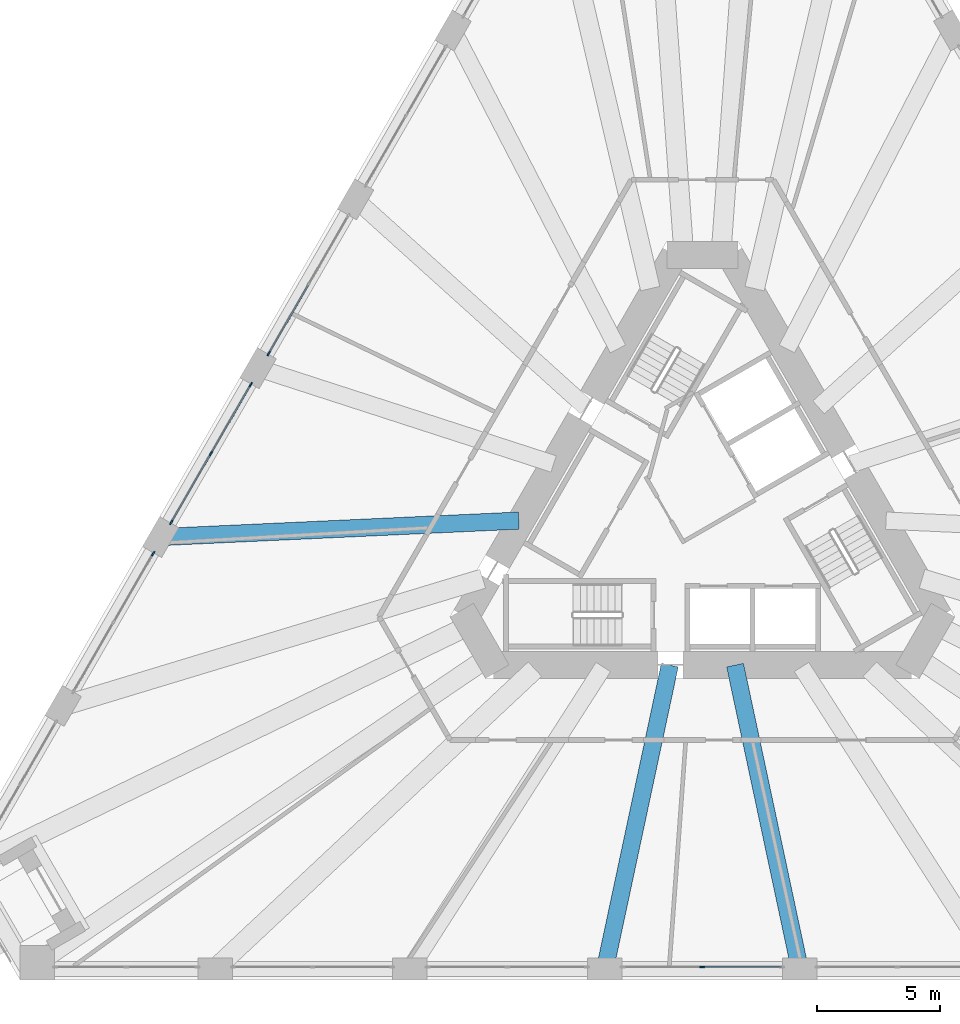
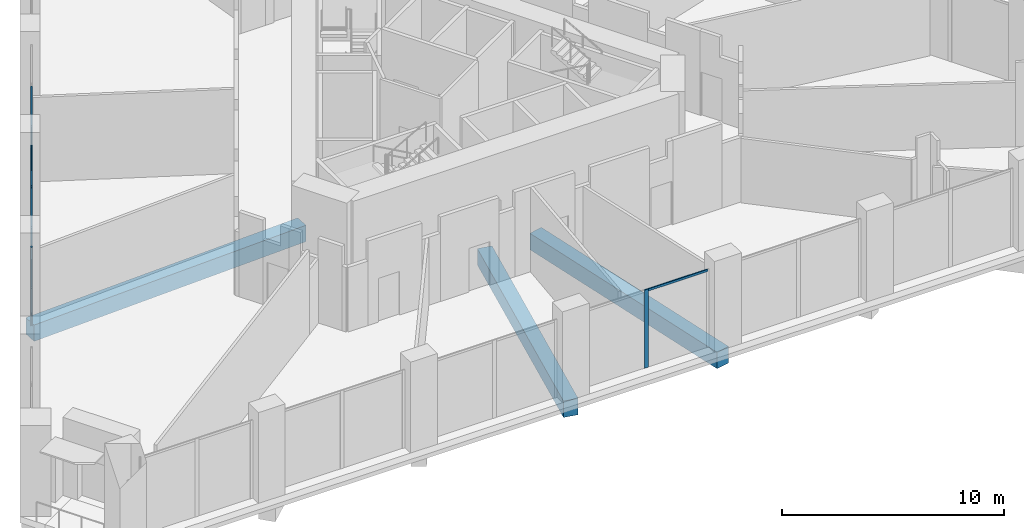
# One storey, part 4 of 20: 10 members, 3 beams, 4 elements without a shape of their own.
"""IFC4 building model written with IfcOpenShell, lengths in metres."""

from ifc_helpers import new_model, si_unit, direction, frame, origin, origin_2d, place, context, subcontext, project, spatial, rectangle, extrude, material, layer, layer_set, material_profile, profile_set, type_object, element, aggregate, save


model = new_model("IFC4")

# Units and contexts
model_context = context("Model", 3, precision=1e-05, world=origin(), true_north=direction((0.0, 1.0)))
body_context = subcontext(model_context, "Body", "Model", "MODEL_VIEW")
ifc_project = project(units=[si_unit("LENGTHUNIT", "METRE"), si_unit("AREAUNIT", "SQUARE_METRE"), si_unit("VOLUMEUNIT", "CUBIC_METRE"), si_unit("PLANEANGLEUNIT", "RADIAN"), si_unit("MASSUNIT", "GRAM", prefix="KILO")], contexts=[model_context])

# Site, building, storey
site_placement = place(None, origin())
site = spatial("IfcSite", under=ifc_project, at=site_placement, CompositionType="ELEMENT")
building_placement = place(site_placement, origin())
building = spatial("IfcBuilding", under=site, at=building_placement, Name="Tramontana Tower", CompositionType="ELEMENT")
storey_placement = place(building_placement, frame((0.0, 0.0, 20.0)))
storey = spatial("IfcBuildingStorey", under=building, at=storey_placement, Name="L03", CompositionType="ELEMENT", Elevation=20.0)

# Curtain wall, member
ifc_material_1 = material(Name="Aluminum extrusion", Category="aluminium")
ifc_layer = layer(ifc_material_1, 0.14990234375)
ifc_layer_set = layer_set([ifc_layer], Name="CW2 Podium amenity curtain wall")
curtain_wall_type = type_object("IfcCurtainWallType", Name="CW2 Podium amenity curtain wall", PredefinedType="NOTDEFINED", material=ifc_layer_set)
curtain_wall_1_placement = place(storey_placement, origin())
curtain_wall_1 = element("IfcCurtainWall", 1, at=curtain_wall_1_placement, inside=storey, type_object=curtain_wall_type, Name="CW2 curtain wall L03 face 0 bay 4", PredefinedType="NOTDEFINED")
ifc_material_2 = material(Name="Aluminum extrusion", Category="aluminium")
ifc_material_profile_1 = material_profile(ifc_material_2, rectangle(XDim=0.06005859375, YDim=0.199951171875, at=origin_2d()), Name="CW2-M Mullion 60 x 200")
ifc_profile_set_1 = profile_set([ifc_material_profile_1], Name="Aluminum extrusion")
member_type_1 = type_object("IfcMemberType", Name="CW2-M Mullion 60 x 200", PredefinedType="MULLION", material=ifc_profile_set_1)
member_1_placement = place(storey_placement, frame((-17.6142578125, 6.441162109375, 0.0), z_axis=(0.0, 0.0, 1.0), x_axis=(0.866025403784, -0.5, 0.0)))
member_1 = element("IfcMember", 2, at=member_1_placement, type_object=member_type_1, Name="CW2 curtain wall L03 face 0 bay 4 mullion 3", PredefinedType="MULLION", context=body_context, shape_type="SweptSolid", body=[
    extrude(rectangle(XDim=0.06005859375, YDim=0.199951171875, at=origin_2d()), origin(), (0.0, 0.0, 1.0), 4.300048828125),
])

# Curtain wall, members
curtain_wall_2_placement = place(storey_placement, origin())
curtain_wall_2 = element("IfcCurtainWall", 3, at=curtain_wall_2_placement, inside=storey, type_object=curtain_wall_type, Name="CW2 curtain wall L03 face 0 bay 5", PredefinedType="NOTDEFINED")
member_2_placement = place(storey_placement, frame((-18.34423828125, 5.1767578125, 0.0), z_axis=(0.0, 0.0, 1.0), x_axis=(0.866025403784, -0.5, 0.0)))
member_2 = element("IfcMember", 4, at=member_2_placement, type_object=member_type_1, Name="CW2 curtain wall L03 face 0 bay 5 mullion 1", PredefinedType="MULLION", context=body_context, shape_type="SweptSolid", body=[
    extrude(rectangle(XDim=0.06005859375, YDim=0.199951171875, at=origin_2d()), origin(), (0.0, 0.0, 1.0), 4.300048828125),
])
member_3_placement = place(storey_placement, frame((-19.958740234375, 2.38037109375, 0.0), z_axis=(0.0, 0.0, 1.0), x_axis=(0.866025403784, -0.5, 0.0)))
member_3 = element("IfcMember", 5, at=member_3_placement, type_object=member_type_1, Name="CW2 curtain wall L03 face 0 bay 5 mullion 2", PredefinedType="MULLION", context=body_context, shape_type="SweptSolid", body=[
    extrude(rectangle(XDim=0.06005859375, YDim=0.199951171875, at=origin_2d()), origin(), (0.0, 0.0, 1.0), 4.300048828125),
])
member_4_placement = place(storey_placement, frame((-21.5732421875, -0.416015625, 0.0), z_axis=(0.0, 0.0, 1.0), x_axis=(0.866025403784, -0.5, 0.0)))
member_4 = element("IfcMember", 6, at=member_4_placement, type_object=member_type_1, Name="CW2 curtain wall L03 face 0 bay 5 mullion 3", PredefinedType="MULLION", context=body_context, shape_type="SweptSolid", body=[
    extrude(rectangle(XDim=0.06005859375, YDim=0.199951171875, at=origin_2d()), origin(), (0.0, 0.0, 1.0), 4.300048828125),
])

# Curtain wall, member
curtain_wall_3_placement = place(storey_placement, origin())
curtain_wall_3 = element("IfcCurtainWall", 7, at=curtain_wall_3_placement, inside=storey, type_object=curtain_wall_type, Name="CW2 curtain wall L03 face 0 bay 6", PredefinedType="NOTDEFINED")
member_5_placement = place(storey_placement, frame((-22.30322265625, -1.680419921875, 0.0), z_axis=(0.0, 0.0, 1.0), x_axis=(0.866025403784, -0.5, 0.0)))
member_5 = element("IfcMember", 8, at=member_5_placement, type_object=member_type_1, Name="CW2 curtain wall L03 face 0 bay 6 mullion 1", PredefinedType="MULLION", context=body_context, shape_type="SweptSolid", body=[
    extrude(rectangle(XDim=0.06005859375, YDim=0.199951171875, at=origin_2d()), origin(), (0.0, 0.0, 1.0), 4.300048828125),
])
aggregate(curtain_wall_3, [member_5])

curtain_wall_4_placement = place(storey_placement, origin())
curtain_wall_4 = element("IfcCurtainWall", 9, at=curtain_wall_4_placement, inside=storey, type_object=curtain_wall_type, Name="CW2 curtain wall L03 face 1 bay 4", PredefinedType="NOTDEFINED")
member_6_placement = place(storey_placement, frame((0.0, -18.47509765625, 0.0), z_axis=(0.0, 0.0, 1.0), x_axis=(0.0, 1.0, 0.0)))
member_6 = element("IfcMember", 10, at=member_6_placement, type_object=member_type_1, Name="CW2 curtain wall L03 face 1 bay 4 mullion 2", PredefinedType="MULLION", context=body_context, shape_type="SweptSolid", body=[
    extrude(rectangle(XDim=0.06005859375, YDim=0.199951171875, at=origin_2d()), origin(), (0.0, 0.0, 1.0), 4.300048828125),
])

# Member
ifc_material_3 = material(Name="Aluminum extrusion", Category="aluminium")
ifc_material_profile_2 = material_profile(ifc_material_3, rectangle(XDim=0.06005859375, YDim=0.1201171875, at=origin_2d()), Name="CW2-T Transom 60 x 120")
ifc_profile_set_2 = profile_set([ifc_material_profile_2], Name="Aluminum extrusion")
member_type_2 = type_object("IfcMemberType", Name="CW2-T Transom 60 x 120", PredefinedType="USERDEFINED", material=ifc_profile_set_2)
member_7_placement = place(storey_placement, frame((-16.014892578125, 9.21142578125, 4.239990234375), z_axis=(-0.500000324964, -0.866025216166, 0.0), x_axis=(0.866025216166, -0.500000324964, 0.0)))
member_7 = element("IfcMember", 11, at=member_7_placement, type_object=member_type_2, Name="CW2 curtain wall L03 face 0 bay 4 transom 2.1", ObjectType="TRANSOM", PredefinedType="USERDEFINED", context=body_context, shape_type="SweptSolid", body=[
    extrude(rectangle(XDim=0.06005859375, YDim=0.1201171875, at=origin_2d()), origin(), (0.0, 0.0, 1.0), 3.1689453125),
])

aggregate(curtain_wall_1, [member_1, member_7])

member_8_placement = place(storey_placement, frame((-18.359375, 5.150634765625, 4.239990234375), z_axis=(-0.500000324964, -0.866025216166, 0.0), x_axis=(0.866025216166, -0.500000324964, 0.0)))
member_8 = element("IfcMember", 12, at=member_8_placement, type_object=member_type_2, Name="CW2 curtain wall L03 face 0 bay 5 transom 1.1", ObjectType="TRANSOM", PredefinedType="USERDEFINED", context=body_context, shape_type="SweptSolid", body=[
    extrude(rectangle(XDim=0.06005859375, YDim=0.1201171875, at=origin_2d()), origin(), (0.0, 0.0, 1.0), 3.1689453125),
])

member_9_placement = place(storey_placement, frame((-19.973876953125, 2.3544921875, 4.239990234375), z_axis=(-0.49996696679, -0.866044474677, 0.0), x_axis=(0.866044474677, -0.49996696679, 0.0)))
member_9 = element("IfcMember", 13, at=member_9_placement, type_object=member_type_2, Name="CW2 curtain wall L03 face 0 bay 5 transom 2.1", ObjectType="TRANSOM", PredefinedType="USERDEFINED", context=body_context, shape_type="SweptSolid", body=[
    extrude(rectangle(XDim=0.06005859375, YDim=0.1201171875, at=origin_2d()), origin(), (0.0, 0.0, 1.0), 3.169189453125),
])

aggregate(curtain_wall_2, [member_2, member_3, member_4, member_8, member_9])

member_10_placement = place(storey_placement, frame((0.030029296875, -18.47509765625, 4.239990234375), z_axis=(1.0, 0.0, 0.0), x_axis=(0.0, 1.0, 0.0)))
member_10 = element("IfcMember", 14, at=member_10_placement, type_object=member_type_2, Name="CW2 curtain wall L03 face 1 bay 4 transom 2.1", ObjectType="TRANSOM", PredefinedType="USERDEFINED", context=body_context, shape_type="SweptSolid", body=[
    extrude(rectangle(XDim=0.06005859375, YDim=0.1201171875, at=origin_2d()), origin(), (0.0, 0.0, 1.0), 3.1689453125),
])

aggregate(curtain_wall_4, [member_6, member_10])

# Beams
ifc_material_4 = material(Name="Concrete 40 MPa", Category="concrete")
ifc_material_profile_3 = material_profile(ifc_material_4, rectangle(XDim=0.699951171875, YDim=0.89990234375, at=origin_2d()), Name="RC GIRDER 700X900 40 MPa")
ifc_profile_set_3 = profile_set([ifc_material_profile_3], Name="Concrete 40 MPa")
beam_type = type_object("IfcBeamType", Name="RC GIRDER 700X900 40 MPa", PredefinedType="BEAM", material=ifc_profile_set_3)
beam_placement = place(storey_placement, frame((-22.003173828125, -1.0107421875, -0.800048828125), z_axis=(0.998946541736, 0.045889070085, 0.0), x_axis=(-0.045889070085, 0.998946541736, 0.0)))
element("IfcBeam", 15, at=beam_placement, inside=storey, type_object=beam_type, Name="Radial girder C0F05 L03", PredefinedType="BEAM", context=body_context, shape_type="SweptSolid", body=[
    extrude(rectangle(XDim=0.699951171875, YDim=0.89990234375, at=origin_2d()), origin(), (0.0, 0.0, 1.0), 14.5615234375),
])
for number, where, z_axis, x_axis, name in (
    (16, (-3.958984375, -18.550048828125, -0.800048828125), (0.208730772127, 0.977973141128, 0.0), (-0.977973141128, 0.208730772127, 0.0), "Radial girder C0F09 L03"),
    (17, (3.958984375, -18.550048828125, -0.800048828125), (-0.208730772127, 0.977973141128, 0.0), (-0.977973141128, -0.208730772127, 0.0), "Radial girder C0F10 L03"),
):
    element("IfcBeam", number, at=place(storey_placement, frame(where, z_axis=z_axis, x_axis=x_axis)), inside=storey, type_object=beam_type, Name=name, PredefinedType="BEAM", context=body_context, shape_type="SweptSolid", body=[
        extrude(rectangle(XDim=0.699951171875, YDim=0.89990234375, at=origin_2d()), origin(), (0.0, 0.0, 1.0), 12.61572265625),
    ])

save(model, "model.ifc")
